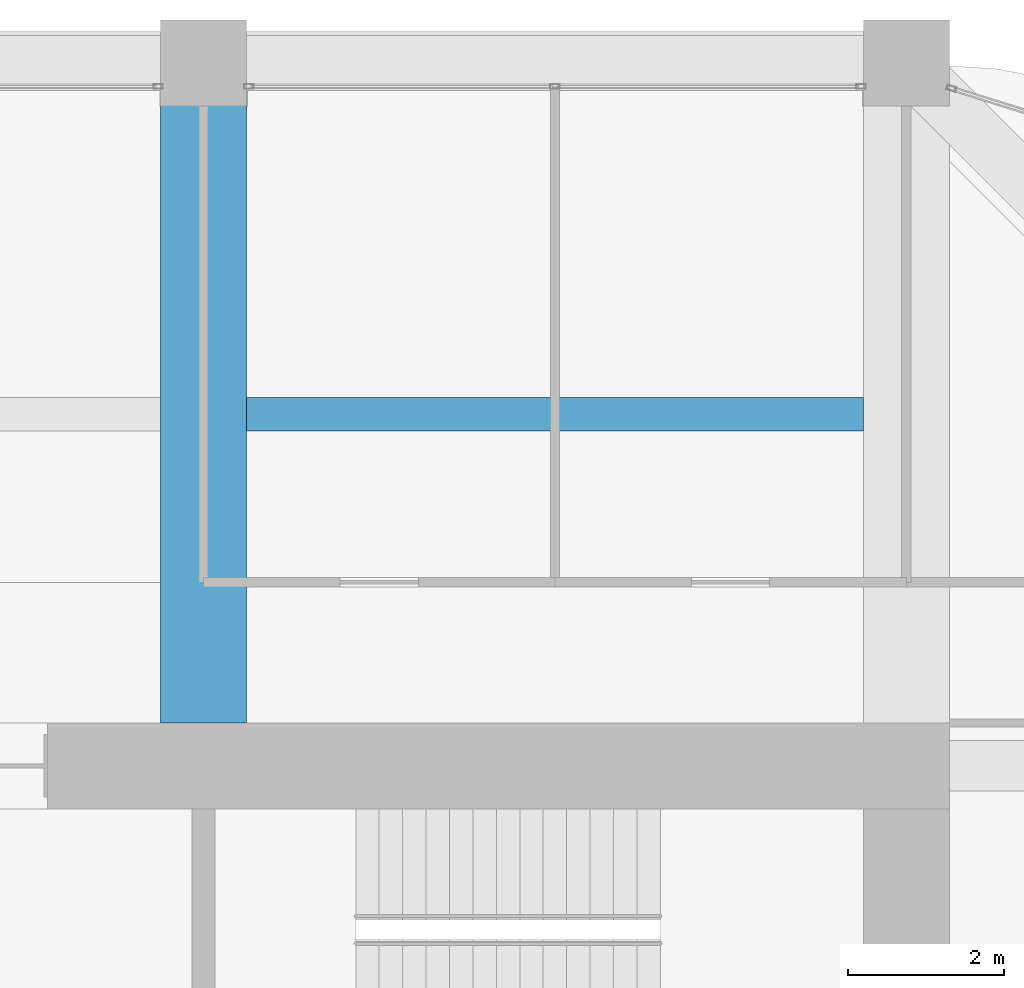
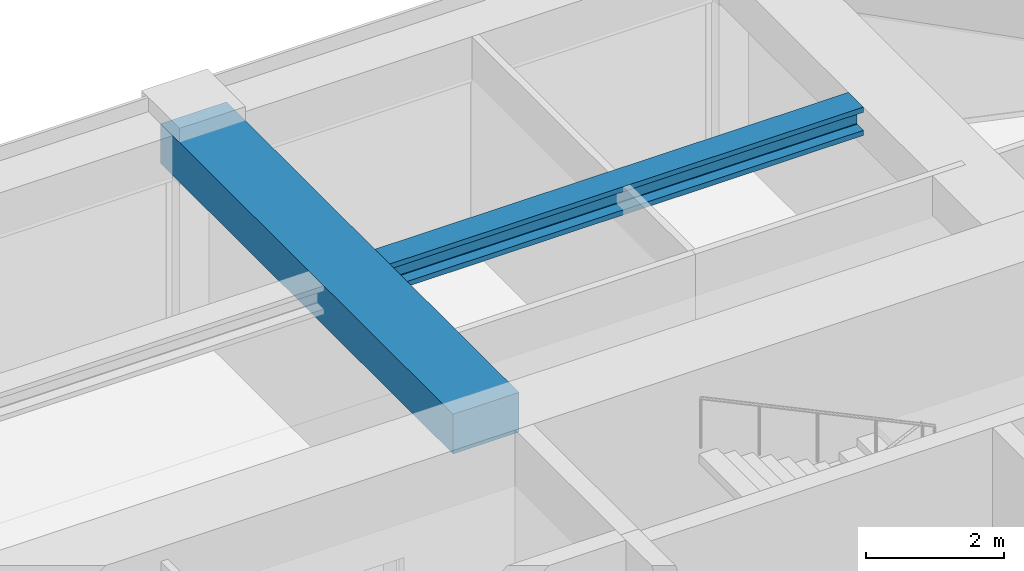
# One storey, part 34 of 44: 2 beams.
"""IFC4 building model written with IfcOpenShell, lengths in metres."""

from ifc_helpers import new_model, si_unit, direction, frame, origin, origin_2d, place, context, subcontext, project, spatial, rectangle, i_section, extrude, material, material_profile, profile_set, type_object, element, save


model = new_model("IFC4")

# Units and contexts
model_context = context("Model", 3, precision=1e-05, world=origin(), true_north=direction((0.0, 1.0)))
body_context = subcontext(model_context, "Body", "Model", "MODEL_VIEW")
ifc_project = project(units=[si_unit("LENGTHUNIT", "METRE"), si_unit("AREAUNIT", "SQUARE_METRE"), si_unit("VOLUMEUNIT", "CUBIC_METRE"), si_unit("PLANEANGLEUNIT", "RADIAN"), si_unit("MASSUNIT", "GRAM", prefix="KILO")], contexts=[model_context])

# Site, building, storey
site_placement = place(None, origin())
site = spatial("IfcSite", under=ifc_project, at=site_placement, CompositionType="ELEMENT")
building_placement = place(site_placement, origin())
building = spatial("IfcBuilding", under=site, at=building_placement, Name="Zorevar Civic Tower", CompositionType="ELEMENT")
storey_placement = place(building_placement, frame((0.0, 0.0, 283.39990234375)))
storey = spatial("IfcBuildingStorey", under=building, at=storey_placement, Name="L69", CompositionType="ELEMENT", Elevation=283.39990234375)

# Beams
ifc_material_1 = material(Name="Concrete C50/60", Category="concrete")
ifc_material_profile_1 = material_profile(ifc_material_1, rectangle(XDim=1.10009765625, YDim=0.699951171875, at=origin_2d()), Name="RC 1100x700")
ifc_profile_set_1 = profile_set([ifc_material_profile_1], Name="Concrete C50/60")
beam_type_1 = type_object("IfcBeamType", Name="Beam RC 1100x700", PredefinedType="BEAM", material=ifc_profile_set_1)
beam_1_placement = place(storey_placement, frame((36.0, 36.550048828125, 3.400146484375), z_axis=(0.0, 1.0, 0.0), x_axis=(-1.0, 0.0, 0.0)))
element("IfcBeam", 1, at=beam_1_placement, inside=storey, type_object=beam_type_1, Name="Girder L70", PredefinedType="BEAM", context=body_context, shape_type="SweptSolid", body=[
    extrude(rectangle(XDim=1.10009765625, YDim=0.699951171875, at=origin_2d()), origin(), (0.0, 0.0, 1.0), 8.449951171875),
])
ifc_material_2 = material(Name="Steel S460M (HISTAR 460)", Category="steel")
ifc_material_profile_2 = material_profile(ifc_material_2, i_section(OverallWidth=0.431884765625, OverallDepth=0.498046875, WebThickness=0.0556640625, FlangeThickness=0.0888671875, FilletRadius=0.014892578125, at=origin_2d()), Name="HD 400x744")
ifc_profile_set_2 = profile_set([ifc_material_profile_2], Name="Steel S460M (HISTAR 460)")
beam_type_2 = type_object("IfcBeamType", Name="Core bay beam HD 400x744", PredefinedType="BEAM", material=ifc_profile_set_2)
beam_2_placement = place(storey_placement, frame((36.550048828125, 40.5, 3.5009765625), z_axis=(1.0, 0.0, 0.0), x_axis=(0.0, 1.0, 0.0)))
element("IfcBeam", 2, at=beam_2_placement, inside=storey, type_object=beam_type_2, Name="Secondary beam L70", PredefinedType="BEAM", context=body_context, shape_type="SweptSolid", body=[
    extrude(i_section(OverallWidth=0.431884765625, OverallDepth=0.498046875, WebThickness=0.0556640625, FlangeThickness=0.0888671875, FilletRadius=0.014892578125, at=origin_2d()), origin(), (0.0, 0.0, 1.0), 7.89990234375),
])

save(model, "model.ifc")
